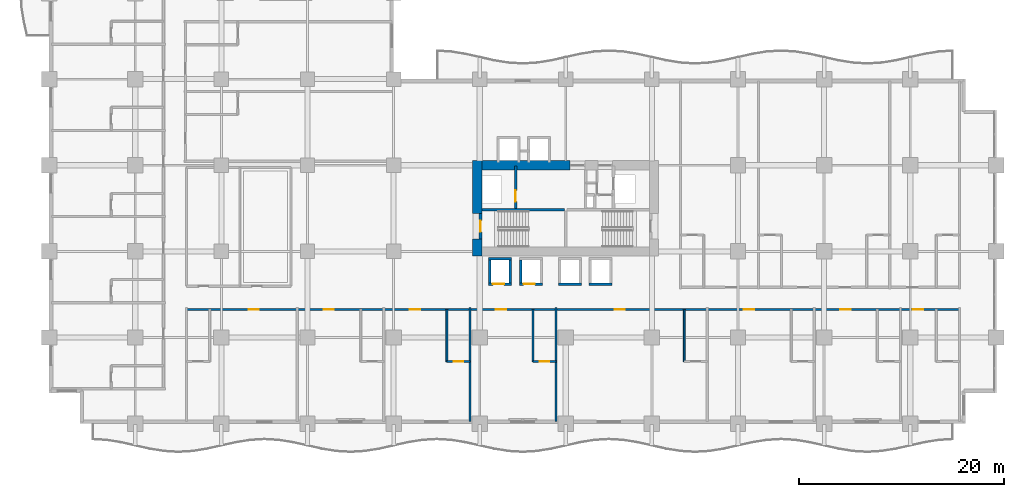
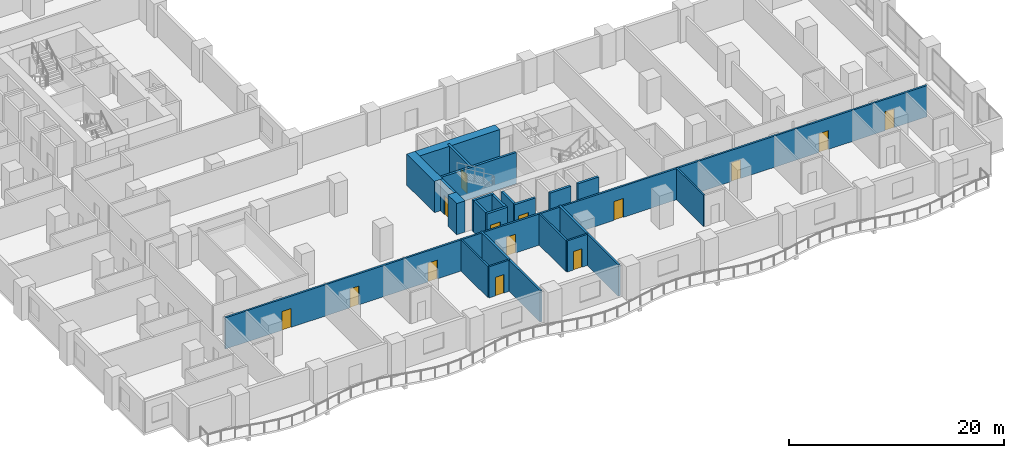
# One storey, part 12 of 26: 22 walls, 14 doors, 14 openings.
"""IFC4 building model written with IfcOpenShell, lengths in metres."""

from ifc_helpers import new_model, si_unit, direction, frame, frame_2d, origin, place, context, subcontext, project, spatial, rectangle, extrude, material, layer, layer_set, type_object, element, fill, save


model = new_model("IFC4")

# Units and contexts
model_context = context("Model", 3, precision=1e-05, world=origin(), true_north=direction((0.0, 1.0)))
body_context = subcontext(model_context, "Body", "Model", "MODEL_VIEW")
ifc_project = project(units=[si_unit("LENGTHUNIT", "METRE"), si_unit("AREAUNIT", "SQUARE_METRE"), si_unit("VOLUMEUNIT", "CUBIC_METRE"), si_unit("PLANEANGLEUNIT", "RADIAN"), si_unit("MASSUNIT", "GRAM", prefix="KILO")], contexts=[model_context])

# Site, building, storey
site_placement = place(None, origin())
site = spatial("IfcSite", under=ifc_project, at=site_placement, CompositionType="ELEMENT")
building_placement = place(site_placement, origin())
building = spatial("IfcBuilding", under=site, at=building_placement, Name="Koriwani Terraces Tower", CompositionType="ELEMENT")
storey_placement = place(building_placement, frame((0.0, 0.0, 39.60009765625)))
storey = spatial("IfcBuildingStorey", under=building, at=storey_placement, Name="L08", CompositionType="ELEMENT", Elevation=39.60009765625)

# Walls
ifc_material_1 = material(Name="Concrete C60/75", Category="concrete")
ifc_layer_1 = layer(ifc_material_1, 0.89990234375, Name="Concrete C60/75")
ifc_layer_set_1 = layer_set([ifc_layer_1], Name="Concrete C60/75")
wall_type_1 = type_object("IfcWallType", Name="WALL_CORE_RC_900", PredefinedType="SHEAR", material=ifc_layer_set_1)
wall_1_placement = place(storey_placement, frame((41.75, 16.35009765625, 0.0), z_axis=(0.0, 0.0, 1.0), x_axis=(0.0, 1.0, 0.0)))
element("IfcWall", 1, at=wall_1_placement, inside=storey, type_object=wall_type_1, Name="L08 East Split Core Shear Wall W1", PredefinedType="SHEAR", context=body_context, shape_type="SweptSolid", body=[
    extrude(rectangle(XDim=1.64990234375, YDim=0.89990234375, at=frame_2d((0.824951171875, 0.0))), origin(), (0.0, 0.0, 1.0), 3.5498046875),
])
wall_2_placement = place(storey_placement, frame((41.75, 20.5, 0.0), z_axis=(0.0, 0.0, 1.0), x_axis=(0.0, 1.0, 0.0)))
element("IfcWall", 2, at=wall_2_placement, inside=storey, type_object=wall_type_1, Name="L08 East Split Core Shear Wall W2", PredefinedType="SHEAR", context=body_context, shape_type="SweptSolid", body=[
    extrude(rectangle(XDim=5.14990234375, YDim=0.89990234375, at=frame_2d((2.574951171875, 0.0))), origin(), (0.0, 0.0, 1.0), 3.5498046875),
])
wall_3_placement = place(storey_placement, frame((42.199951171875, 25.199951171875, 0.0), z_axis=(0.0, 0.0, 1.0), x_axis=(1.0, 0.0, 0.0)))
element("IfcWall", 3, at=wall_3_placement, inside=storey, type_object=wall_type_1, Name="L08 East Split Core Shear Wall N1", PredefinedType="SHEAR", context=body_context, shape_type="SweptSolid", body=[
    extrude(rectangle(XDim=8.60009765625, YDim=0.89990234375, at=frame_2d((4.300048828125, 0.0))), origin(), (0.0, 0.0, 1.0), 3.5498046875),
])

# Wall, openings, doors
ifc_material_2 = material(Name="Autoclaved Cellular Concrete Blockwork", Category="masonry")
ifc_layer_2 = layer(ifc_material_2, 0.199951171875, Name="Autoclaved Cellular Concrete Blockwork")
ifc_layer_set_2 = layer_set([ifc_layer_2], Name="Autoclaved Cellular Concrete Blockwork")
wall_type_2 = type_object("IfcWallType", Name="WALL_CORRIDOR_200", PredefinedType="PARTITIONING", material=ifc_layer_set_2)
wall_4_placement = place(storey_placement, frame((13.39990234375, 11.14990234375, 0.0), z_axis=(0.0, 0.0, 1.0), x_axis=(1.0, 0.0, 0.0)))
wall_4 = element("IfcWall", 4, at=wall_4_placement, inside=storey, type_object=wall_type_2, Name="L08 Interior Wall WCOR-L08-SW-0", PredefinedType="PARTITIONING", context=body_context, shape_type="SweptSolid", body=[
    extrude(rectangle(XDim=75.400146484375, YDim=0.199951171875, at=frame_2d((37.7001953125, 0.0))), origin(), (0.0, 0.0, 1.0), 3.5498046875),
])
opening_1_placement = place(wall_4_placement, frame((6.06494140625, 0.0, 0.0)))
opening_1 = element("IfcOpeningElement", 5, at=opening_1_placement, cuts=wall_4, Name="Opening D-05", PredefinedType="OPENING", context=body_context, shape_type="SweptSolid", body=[
    extrude(rectangle(XDim=1.0, YDim=2.14990234375, at=frame_2d((0.5, 1.074951171875))), frame((0.0, 0.10986328125, 0.0), z_axis=(0.0, -1.0, 0.0), x_axis=(1.0, 0.0, 0.0)), (0.0, 0.0, 1.0), 0.219970703125),
])
opening_2_placement = place(wall_4_placement, frame((13.360107421875, 0.0, 0.0)))
opening_2 = element("IfcOpeningElement", 6, at=opening_2_placement, cuts=wall_4, Name="Opening D-05", PredefinedType="OPENING", context=body_context, shape_type="SweptSolid", body=[
    extrude(rectangle(XDim=1.0, YDim=2.14990234375, at=frame_2d((0.5, 1.074951171875))), frame((0.0, 0.10986328125, 0.0), z_axis=(0.0, -1.0, 0.0), x_axis=(1.0, 0.0, 0.0)), (0.0, 0.0, 1.0), 0.219970703125),
])
opening_3_placement = place(wall_4_placement, frame((21.784912109375, 0.0, 0.0)))
opening_3 = element("IfcOpeningElement", 7, at=opening_3_placement, cuts=wall_4, Name="Opening D-05", PredefinedType="OPENING", context=body_context, shape_type="SweptSolid", body=[
    extrude(rectangle(XDim=1.0, YDim=2.14990234375, at=frame_2d((0.5, 1.074951171875))), frame((0.0, 0.10986328125, 0.0), z_axis=(0.0, -1.0, 0.0), x_axis=(1.0, 0.0, 0.0)), (0.0, 0.0, 1.0), 0.219970703125),
])
opening_4_placement = place(wall_4_placement, frame((30.18505859375, 0.0, 0.0)))
opening_4 = element("IfcOpeningElement", 8, at=opening_4_placement, cuts=wall_4, Name="Opening D-05", PredefinedType="OPENING", context=body_context, shape_type="SweptSolid", body=[
    extrude(rectangle(XDim=1.0, YDim=2.14990234375, at=frame_2d((0.5, 1.074951171875))), frame((0.0, 0.10986328125, 0.0), z_axis=(0.0, -1.0, 0.0), x_axis=(1.0, 0.0, 0.0)), (0.0, 0.0, 1.0), 0.219970703125),
])
opening_5_placement = place(wall_4_placement, frame((41.760009765625, 0.0, 0.0)))
opening_5 = element("IfcOpeningElement", 9, at=opening_5_placement, cuts=wall_4, Name="Opening D-05", PredefinedType="OPENING", context=body_context, shape_type="SweptSolid", body=[
    extrude(rectangle(XDim=1.0, YDim=2.14990234375, at=frame_2d((0.5, 1.074951171875))), frame((0.0, 0.10986328125, 0.0), z_axis=(0.0, -1.0, 0.0), x_axis=(1.0, 0.0, 0.0)), (0.0, 0.0, 1.0), 0.219970703125),
])
opening_6_placement = place(wall_4_placement, frame((54.360107421875, 0.0, 0.0)))
opening_6 = element("IfcOpeningElement", 10, at=opening_6_placement, cuts=wall_4, Name="Opening D-05", PredefinedType="OPENING", context=body_context, shape_type="SweptSolid", body=[
    extrude(rectangle(XDim=1.0, YDim=2.14990234375, at=frame_2d((0.5, 1.074951171875))), frame((0.0, 0.10986328125, 0.0), z_axis=(0.0, -1.0, 0.0), x_axis=(1.0, 0.0, 0.0)), (0.0, 0.0, 1.0), 0.219970703125),
])
opening_7_placement = place(wall_4_placement, frame((63.784912109375, 0.0, 0.0)))
opening_7 = element("IfcOpeningElement", 11, at=opening_7_placement, cuts=wall_4, Name="Opening D-05", PredefinedType="OPENING", context=body_context, shape_type="SweptSolid", body=[
    extrude(rectangle(XDim=1.0, YDim=2.14990234375, at=frame_2d((0.5, 1.074951171875))), frame((0.0, 0.10986328125, 0.0), z_axis=(0.0, -1.0, 0.0), x_axis=(1.0, 0.0, 0.0)), (0.0, 0.0, 1.0), 0.219970703125),
])
opening_8_placement = place(wall_4_placement, frame((70.860107421875, 0.0, 0.0)))
opening_8 = element("IfcOpeningElement", 12, at=opening_8_placement, cuts=wall_4, Name="Opening D-05", PredefinedType="OPENING", context=body_context, shape_type="SweptSolid", body=[
    extrude(rectangle(XDim=1.0, YDim=2.14990234375, at=frame_2d((0.5, 1.074951171875))), frame((0.0, 0.10986328125, 0.0), z_axis=(0.0, -1.0, 0.0), x_axis=(1.0, 0.0, 0.0)), (0.0, 0.0, 1.0), 0.219970703125),
])
ifc_material_3 = material(Name="Architectural Oak Fire Door", Category="wood")
door_type_1 = type_object("IfcDoorType", Name="DOOR_SUITE_ENTRY_1000X2150", OperationType="NOTDEFINED", PredefinedType="DOOR", material=ifc_material_3)
door_1_placement = place(opening_1_placement, origin())
door_1 = element("IfcDoor", 13, at=door_1_placement, inside=storey, type_object=door_type_1, Name="Luxury Hotel Suite 08SW1 Entrance Door", OperationType="SINGLE_SWING_RIGHT", OverallHeight=2.14990234375, OverallWidth=1.0, PredefinedType="DOOR", context=body_context, shape_type="SweptSolid", body=[
    extrude(rectangle(XDim=1.0, YDim=2.14990234375, at=frame_2d((0.5, 1.074951171875))), frame((0.0, 0.02490234375, 0.0), z_axis=(0.0, -1.0, 0.0), x_axis=(1.0, 0.0, 0.0)), (0.0, 0.0, 1.0), 0.050048828125),
])
fill(opening_1, door_1)
door_2_placement = place(opening_2_placement, origin())
door_2 = element("IfcDoor", 14, at=door_2_placement, inside=storey, type_object=door_type_1, Name="Luxury Hotel Suite 08SW2 Entrance Door", OperationType="SINGLE_SWING_RIGHT", OverallHeight=2.14990234375, OverallWidth=1.0, PredefinedType="DOOR", context=body_context, shape_type="SweptSolid", body=[
    extrude(rectangle(XDim=1.0, YDim=2.14990234375, at=frame_2d((0.5, 1.074951171875))), frame((0.0, 0.02490234375, 0.0), z_axis=(0.0, -1.0, 0.0), x_axis=(1.0, 0.0, 0.0)), (0.0, 0.0, 1.0), 0.050048828125),
])
fill(opening_2, door_2)
door_3_placement = place(opening_3_placement, origin())
door_3 = element("IfcDoor", 15, at=door_3_placement, inside=storey, type_object=door_type_1, Name="Luxury Hotel Suite 08SW3 Entrance Door", OperationType="SINGLE_SWING_RIGHT", OverallHeight=2.14990234375, OverallWidth=1.0, PredefinedType="DOOR", context=body_context, shape_type="SweptSolid", body=[
    extrude(rectangle(XDim=1.0, YDim=2.14990234375, at=frame_2d((0.5, 1.074951171875))), frame((0.0, 0.02490234375, 0.0), z_axis=(0.0, -1.0, 0.0), x_axis=(1.0, 0.0, 0.0)), (0.0, 0.0, 1.0), 0.050048828125),
])
fill(opening_3, door_3)
door_4_placement = place(opening_4_placement, origin())
door_4 = element("IfcDoor", 16, at=door_4_placement, inside=storey, type_object=door_type_1, Name="Luxury Hotel Suite 08SW4 Entrance Door", OperationType="SINGLE_SWING_RIGHT", OverallHeight=2.14990234375, OverallWidth=1.0, PredefinedType="DOOR", context=body_context, shape_type="SweptSolid", body=[
    extrude(rectangle(XDim=1.0, YDim=2.14990234375, at=frame_2d((0.5, 1.074951171875))), frame((0.0, 0.02490234375, 0.0), z_axis=(0.0, -1.0, 0.0), x_axis=(1.0, 0.0, 0.0)), (0.0, 0.0, 1.0), 0.050048828125),
])
fill(opening_4, door_4)
door_5_placement = place(opening_5_placement, origin())
door_5 = element("IfcDoor", 17, at=door_5_placement, inside=storey, type_object=door_type_1, Name="Luxury Hotel Suite 08SW5 Entrance Door", OperationType="SINGLE_SWING_RIGHT", OverallHeight=2.14990234375, OverallWidth=1.0, PredefinedType="DOOR", context=body_context, shape_type="SweptSolid", body=[
    extrude(rectangle(XDim=1.0, YDim=2.14990234375, at=frame_2d((0.5, 1.074951171875))), frame((0.0, 0.02490234375, 0.0), z_axis=(0.0, -1.0, 0.0), x_axis=(1.0, 0.0, 0.0)), (0.0, 0.0, 1.0), 0.050048828125),
])
fill(opening_5, door_5)
door_6_placement = place(opening_6_placement, origin())
door_6 = element("IfcDoor", 18, at=door_6_placement, inside=storey, type_object=door_type_1, Name="Luxury Hotel Suite 08SW6 Entrance Door", OperationType="SINGLE_SWING_RIGHT", OverallHeight=2.14990234375, OverallWidth=1.0, PredefinedType="DOOR", context=body_context, shape_type="SweptSolid", body=[
    extrude(rectangle(XDim=1.0, YDim=2.14990234375, at=frame_2d((0.5, 1.074951171875))), frame((0.0, 0.02490234375, 0.0), z_axis=(0.0, -1.0, 0.0), x_axis=(1.0, 0.0, 0.0)), (0.0, 0.0, 1.0), 0.050048828125),
])
fill(opening_6, door_6)
door_7_placement = place(opening_7_placement, origin())
door_7 = element("IfcDoor", 19, at=door_7_placement, inside=storey, type_object=door_type_1, Name="Luxury Hotel Suite 08SW7 Entrance Door", OperationType="SINGLE_SWING_RIGHT", OverallHeight=2.14990234375, OverallWidth=1.0, PredefinedType="DOOR", context=body_context, shape_type="SweptSolid", body=[
    extrude(rectangle(XDim=1.0, YDim=2.14990234375, at=frame_2d((0.5, 1.074951171875))), frame((0.0, 0.02490234375, 0.0), z_axis=(0.0, -1.0, 0.0), x_axis=(1.0, 0.0, 0.0)), (0.0, 0.0, 1.0), 0.050048828125),
])
fill(opening_7, door_7)
door_8_placement = place(opening_8_placement, origin())
door_8 = element("IfcDoor", 20, at=door_8_placement, inside=storey, type_object=door_type_1, Name="Hotel Guest Room 08SW8 Entrance Door", OperationType="SINGLE_SWING_RIGHT", OverallHeight=2.14990234375, OverallWidth=1.0, PredefinedType="DOOR", context=body_context, shape_type="SweptSolid", body=[
    extrude(rectangle(XDim=1.0, YDim=2.14990234375, at=frame_2d((0.5, 1.074951171875))), frame((0.0, 0.02490234375, 0.0), z_axis=(0.0, -1.0, 0.0), x_axis=(1.0, 0.0, 0.0)), (0.0, 0.0, 1.0), 0.050048828125),
])
fill(opening_8, door_8)

# Walls
ifc_layer_3 = layer(ifc_material_2, 0.219970703125, Name="Autoclaved Cellular Concrete Blockwork")
ifc_layer_set_3 = layer_set([ifc_layer_3], Name="Autoclaved Cellular Concrete Blockwork")
wall_type_3 = type_object("IfcWallType", Name="WALL_DEMISING_220", PredefinedType="PARTITIONING", material=ifc_layer_set_3)
for number, where, z_axis, x_axis, name in (
    (21, (41.050048828125, 0.199951171875, 0.0), (0.0, 0.0, 1.0), (0.0, 1.0, 0.0), "L08 Interior Wall WDEM-L08-SW-3"),
    (22, (49.449951171875, 0.199951171875, 0.0), (0.0, 0.0, 1.0), (0.0, 1.0, 0.0), "L08 Interior Wall WDEM-L08-SW-4"),
):
    element("IfcWall", number, at=place(storey_placement, frame(where, z_axis=z_axis, x_axis=x_axis)), inside=storey, type_object=wall_type_3, Name=name, PredefinedType="PARTITIONING", context=body_context, shape_type="SweptSolid", body=[
        extrude(rectangle(XDim=11.130126953125, YDim=0.219970703125, at=frame_2d((5.56494140625, 0.0))), origin(), (0.0, 0.0, 1.0), 3.5498046875),
    ])

# Wall, opening, door
ifc_material_4 = material(Name="Fire-Rated Acoustic Gypsum Partition", Category="masonry")
ifc_layer_4 = layer(ifc_material_4, 0.179931640625, Name="Fire-Rated Acoustic Gypsum Partition")
ifc_layer_set_4 = layer_set([ifc_layer_4], Name="Fire-Rated Acoustic Gypsum Partition")
wall_type_4 = type_object("IfcWallType", Name="WALL_PLUMBING_180", PredefinedType="PLUMBINGWALL", material=ifc_layer_set_4)
wall_5_placement = place(storey_placement, frame((38.800048828125, 6.050048828125, 0.0), z_axis=(0.0, 0.0, 1.0), x_axis=(1.0, 0.0, 0.0)))
wall_5 = element("IfcWall", 23, at=wall_5_placement, inside=storey, type_object=wall_type_4, Name="L08 Interior Wall WBTH1-L08-SW-2", PredefinedType="PLUMBINGWALL", context=body_context, shape_type="SweptSolid", body=[
    extrude(rectangle(XDim=2.25, YDim=0.179931640625, at=frame_2d((1.125, 0.0))), origin(), (0.0, 0.0, 1.0), 3.5498046875),
])
opening_9_placement = place(wall_5_placement, frame((0.675048828125, 0.0, 0.0)))
opening_9 = element("IfcOpeningElement", 24, at=opening_9_placement, cuts=wall_5, Name="Opening D-07", PredefinedType="OPENING", context=body_context, shape_type="SweptSolid", body=[
    extrude(rectangle(XDim=0.89990234375, YDim=2.10009765625, at=frame_2d((0.449951171875, 1.050048828125))), frame((0.0, 0.10009765625, 0.0), z_axis=(0.0, -1.0, 0.0), x_axis=(1.0, 0.0, 0.0)), (0.0, 0.0, 1.0), 0.199951171875),
])
door_type_2 = type_object("IfcDoorType", Name="DOOR_BATH_INT_900X2100", OperationType="NOTDEFINED", PredefinedType="DOOR", material=ifc_material_3)
door_9_placement = place(opening_9_placement, origin())
door_9 = element("IfcDoor", 25, at=door_9_placement, inside=storey, type_object=door_type_2, Name="En-Suite Bathroom 08SW3 Door", OperationType="SINGLE_SWING_LEFT", OverallHeight=2.10009765625, OverallWidth=0.89990234375, PredefinedType="DOOR", context=body_context, shape_type="SweptSolid", body=[
    extrude(rectangle(XDim=0.89990234375, YDim=2.10009765625, at=frame_2d((0.449951171875, 1.050048828125))), frame((0.0, 0.02490234375, 0.0), z_axis=(0.0, -1.0, 0.0), x_axis=(1.0, 0.0, 0.0)), (0.0, 0.0, 1.0), 0.050048828125),
])
fill(opening_9, door_9)

# Wall
wall_6_placement = place(storey_placement, frame((38.800048828125, 6.050048828125, 0.0), z_axis=(0.0, 0.0, 1.0), x_axis=(0.0, 1.0, 0.0)))
element("IfcWall", 26, at=wall_6_placement, inside=storey, type_object=wall_type_4, Name="L08 Interior Wall WBTH2-L08-SW-2", PredefinedType="PLUMBINGWALL", context=body_context, shape_type="SweptSolid", body=[
    extrude(rectangle(XDim=5.099853515625, YDim=0.179931640625, at=frame_2d((2.5498046875, 0.0))), origin(), (0.0, 0.0, 1.0), 3.5498046875),
])

# Wall, opening, door
wall_7_placement = place(storey_placement, frame((47.199951171875, 6.050048828125, 0.0), z_axis=(0.0, 0.0, 1.0), x_axis=(1.0, 0.0, 0.0)))
wall_7 = element("IfcWall", 27, at=wall_7_placement, inside=storey, type_object=wall_type_4, Name="L08 Interior Wall WBTH1-L08-SW-3", PredefinedType="PLUMBINGWALL", context=body_context, shape_type="SweptSolid", body=[
    extrude(rectangle(XDim=2.25, YDim=0.179931640625, at=frame_2d((1.125, 0.0))), origin(), (0.0, 0.0, 1.0), 3.5498046875),
])
opening_10_placement = place(wall_7_placement, frame((0.675048828125, 0.0, 0.0)))
opening_10 = element("IfcOpeningElement", 28, at=opening_10_placement, cuts=wall_7, Name="Opening D-07", PredefinedType="OPENING", context=body_context, shape_type="SweptSolid", body=[
    extrude(rectangle(XDim=0.89990234375, YDim=2.10009765625, at=frame_2d((0.449951171875, 1.050048828125))), frame((0.0, 0.10009765625, 0.0), z_axis=(0.0, -1.0, 0.0), x_axis=(1.0, 0.0, 0.0)), (0.0, 0.0, 1.0), 0.199951171875),
])
door_10_placement = place(opening_10_placement, origin())
door_10 = element("IfcDoor", 29, at=door_10_placement, inside=storey, type_object=door_type_2, Name="En-Suite Bathroom 08SW4 Door", OperationType="SINGLE_SWING_LEFT", OverallHeight=2.10009765625, OverallWidth=0.89990234375, PredefinedType="DOOR", context=body_context, shape_type="SweptSolid", body=[
    extrude(rectangle(XDim=0.89990234375, YDim=2.10009765625, at=frame_2d((0.449951171875, 1.050048828125))), frame((0.0, 0.02490234375, 0.0), z_axis=(0.0, -1.0, 0.0), x_axis=(1.0, 0.0, 0.0)), (0.0, 0.0, 1.0), 0.050048828125),
])
fill(opening_10, door_10)

# Walls
for number, where, z_axis, x_axis, name in (
    (30, (47.199951171875, 6.050048828125, 0.0), (0.0, 0.0, 1.0), (0.0, 1.0, 0.0), "L08 Interior Wall WBTH2-L08-SW-3"),
    (31, (61.949951171875, 6.050048828125, 0.0), (0.0, 0.0, 1.0), (0.0, 1.0, 0.0), "L08 Interior Wall WBTH2-L08-SW-4"),
):
    element("IfcWall", number, at=place(storey_placement, frame(where, z_axis=z_axis, x_axis=x_axis)), inside=storey, type_object=wall_type_4, Name=name, PredefinedType="PLUMBINGWALL", context=body_context, shape_type="SweptSolid", body=[
        extrude(rectangle(XDim=5.099853515625, YDim=0.179931640625, at=frame_2d((2.5498046875, 0.0))), origin(), (0.0, 0.0, 1.0), 3.5498046875),
    ])
ifc_material_5 = material(Name="Concrete C40/50", Category="concrete")
ifc_layer_5 = layer(ifc_material_5, 0.25, Name="Concrete C40/50")
ifc_layer_set_5 = layer_set([ifc_layer_5], Name="Concrete C40/50")
wall_type_5 = type_object("IfcWallType", Name="WALL_SHAFT_RATED_250", PredefinedType="SOLIDWALL", material=ifc_layer_set_5)
wall_8_placement = place(storey_placement, frame((42.199951171875, 20.875, 0.0), z_axis=(0.0, 0.0, 1.0), x_axis=(1.0, 0.0, 0.0)))
element("IfcWall", 32, at=wall_8_placement, inside=storey, type_object=wall_type_5, Name="L08 East Split Core Web Wall MID1", PredefinedType="SOLIDWALL", context=body_context, shape_type="SweptSolid", body=[
    extrude(rectangle(XDim=8.050048828125, YDim=0.25, at=frame_2d((4.02490234375, 0.0))), origin(), (0.0, 0.0, 1.0), 3.5498046875),
])

# Wall, opening, door
wall_9_placement = place(storey_placement, frame((42.074951171875, 18.0, 0.0), z_axis=(0.0, 0.0, 1.0), x_axis=(0.0, 1.0, 0.0)))
wall_9 = element("IfcWall", 33, at=wall_9_placement, inside=storey, type_object=wall_type_5, Name="L08 Interior Wall WIN-CE-L08-STW", PredefinedType="SOLIDWALL", context=body_context, shape_type="SweptSolid", body=[
    extrude(rectangle(XDim=2.5, YDim=0.25, at=frame_2d((1.25, 0.0))), origin(), (0.0, 0.0, 1.0), 3.5498046875),
])
opening_11_placement = place(wall_9_placement, frame((0.699951171875, 0.0, 0.0)))
opening_11 = element("IfcOpeningElement", 34, at=opening_11_placement, cuts=wall_9, Name="Opening D-03", PredefinedType="OPENING", context=body_context, shape_type="SweptSolid", body=[
    extrude(rectangle(XDim=1.10009765625, YDim=2.14990234375, at=frame_2d((0.550048828125, 1.074951171875))), frame((0.0, 0.135009765625, 0.0), z_axis=(0.0, -1.0, 0.0), x_axis=(1.0, 0.0, 0.0)), (0.0, 0.0, 1.0), 0.27001953125),
])
ifc_material_6 = material(Name="Steel ASTM A572 Grade 50", Category="steel")
door_type_3 = type_object("IfcDoorType", Name="DOOR_STAIR_FIRE_1100X2150", OperationType="NOTDEFINED", PredefinedType="DOOR", material=ifc_material_6)
door_11_placement = place(opening_11_placement, origin())
door_11 = element("IfcDoor", 35, at=door_11_placement, inside=storey, type_object=door_type_3, Name="L08 Exit Stair ST-E1 Door", OperationType="SINGLE_SWING_LEFT", OverallHeight=2.14990234375, OverallWidth=1.10009765625, PredefinedType="DOOR", context=body_context, shape_type="SweptSolid", body=[
    extrude(rectangle(XDim=1.10009765625, YDim=2.14990234375, at=frame_2d((0.550048828125, 1.074951171875))), frame((0.0, 0.02490234375, 0.0), z_axis=(0.0, -1.0, 0.0), x_axis=(1.0, 0.0, 0.0)), (0.0, 0.0, 1.0), 0.050048828125),
])
fill(opening_11, door_11)

wall_10_placement = place(storey_placement, frame((45.5, 21.0, 0.0), z_axis=(0.0, 0.0, 1.0), x_axis=(0.0, 1.0, 0.0)))
wall_10 = element("IfcWall", 36, at=wall_10_placement, inside=storey, type_object=wall_type_5, Name="L08 Interior Wall WIN-CE-L08-FE", PredefinedType="SOLIDWALL", context=body_context, shape_type="SweptSolid", body=[
    extrude(rectangle(XDim=4.14990234375, YDim=0.25, at=frame_2d((2.074951171875, 0.0))), origin(), (0.0, 0.0, 1.0), 3.5498046875),
])
opening_12_placement = place(wall_10_placement, frame((0.64990234375, 0.0, 0.0)))
opening_12 = element("IfcOpeningElement", 37, at=opening_12_placement, cuts=wall_10, Name="Opening LD-01", PredefinedType="OPENING", context=body_context, shape_type="SweptSolid", body=[
    extrude(rectangle(XDim=1.10009765625, YDim=2.14990234375, at=frame_2d((0.550048828125, 1.074951171875))), frame((0.0, 0.135009765625, 0.0), z_axis=(0.0, -1.0, 0.0), x_axis=(1.0, 0.0, 0.0)), (0.0, 0.0, 1.0), 0.27001953125),
])
door_type_4 = type_object("IfcDoorType", Name="DOOR_LIFT_LANDING_1100X2200", OperationType="NOTDEFINED", PredefinedType="DOOR", material=ifc_material_6)
door_12_placement = place(opening_12_placement, origin())
door_12 = element("IfcDoor", 38, at=door_12_placement, inside=storey, type_object=door_type_4, Name="L08 Firefighting Lift FE-02 Landing Door", OperationType="SLIDING_TO_LEFT", OverallHeight=2.14990234375, OverallWidth=1.10009765625, PredefinedType="DOOR", context=body_context, shape_type="SweptSolid", body=[
    extrude(rectangle(XDim=1.10009765625, YDim=2.14990234375, at=frame_2d((0.550048828125, 1.074951171875))), frame((0.0, 0.02490234375, 0.0), z_axis=(0.0, -1.0, 0.0), x_axis=(1.0, 0.0, 0.0)), (0.0, 0.0, 1.0), 0.050048828125),
])
fill(opening_12, door_12)

wall_11_placement = place(storey_placement, frame((42.875, 13.60009765625, 0.0), z_axis=(0.0, 0.0, 1.0), x_axis=(1.0, 0.0, 0.0)))
wall_11 = element("IfcWall", 39, at=wall_11_placement, inside=storey, type_object=wall_type_5, Name="L08 Interior Wall WIN-LF-PE-L3-L08-F", PredefinedType="SOLIDWALL", context=body_context, shape_type="SweptSolid", body=[
    extrude(rectangle(XDim=2.25, YDim=0.25, at=frame_2d((1.125, 0.0))), origin(), (0.0, 0.0, 1.0), 3.5498046875),
])
opening_13_placement = place(wall_11_placement, frame((0.39990234375, 0.0, 0.0)))
opening_13 = element("IfcOpeningElement", 40, at=opening_13_placement, cuts=wall_11, Name="Opening LD-01", PredefinedType="OPENING", context=body_context, shape_type="SweptSolid", body=[
    extrude(rectangle(XDim=1.10009765625, YDim=2.14990234375, at=frame_2d((0.550048828125, 1.074951171875))), frame((0.0, 0.135009765625, 0.0), z_axis=(0.0, -1.0, 0.0), x_axis=(1.0, 0.0, 0.0)), (0.0, 0.0, 1.0), 0.27001953125),
])
door_13_placement = place(opening_13_placement, origin())
door_13 = element("IfcDoor", 41, at=door_13_placement, inside=storey, type_object=door_type_4, Name="L08 Passenger Lift PE-L3 Landing Door", OperationType="SLIDING_TO_LEFT", OverallHeight=2.14990234375, OverallWidth=1.10009765625, PredefinedType="DOOR", context=body_context, shape_type="SweptSolid", body=[
    extrude(rectangle(XDim=1.10009765625, YDim=2.14990234375, at=frame_2d((0.550048828125, 1.074951171875))), frame((0.0, 0.02490234375, 0.0), z_axis=(0.0, -1.0, 0.0), x_axis=(1.0, 0.0, 0.0)), (0.0, 0.0, 1.0), 0.050048828125),
])
fill(opening_13, door_13)

# Walls
for number, where, z_axis, x_axis, name in (
    (42, (42.875, 16.10009765625, 0.0), (0.0, 0.0, 1.0), (1.0, 0.0, 0.0), "L08 Interior Wall WIN-LF-PE-L3-L08-B"),
    (43, (43.0, 13.72509765625, 0.0), (0.0, 0.0, 1.0), (0.0, 1.0, 0.0), "L08 Interior Wall WIN-LF-PE-L3-L08-W"),
    (44, (45.0, 13.72509765625, 0.0), (0.0, 0.0, 1.0), (0.0, 1.0, 0.0), "L08 Interior Wall WIN-LF-PE-L3-L08-E"),
):
    element("IfcWall", number, at=place(storey_placement, frame(where, z_axis=z_axis, x_axis=x_axis)), inside=storey, type_object=wall_type_5, Name=name, PredefinedType="SOLIDWALL", context=body_context, shape_type="SweptSolid", body=[
        extrude(rectangle(XDim=2.25, YDim=0.25, at=frame_2d((1.125, 0.0))), origin(), (0.0, 0.0, 1.0), 3.5498046875),
    ])

# Wall, opening, door
wall_12_placement = place(storey_placement, frame((45.875, 13.60009765625, 0.0), z_axis=(0.0, 0.0, 1.0), x_axis=(1.0, 0.0, 0.0)))
wall_12 = element("IfcWall", 45, at=wall_12_placement, inside=storey, type_object=wall_type_5, Name="L08 Interior Wall WIN-LF-PE-L4-L08-F", PredefinedType="SOLIDWALL", context=body_context, shape_type="SweptSolid", body=[
    extrude(rectangle(XDim=2.25, YDim=0.25, at=frame_2d((1.125, 0.0))), origin(), (0.0, 0.0, 1.0), 3.5498046875),
])
opening_14_placement = place(wall_12_placement, frame((0.39990234375, 0.0, 0.0)))
opening_14 = element("IfcOpeningElement", 46, at=opening_14_placement, cuts=wall_12, Name="Opening LD-01", PredefinedType="OPENING", context=body_context, shape_type="SweptSolid", body=[
    extrude(rectangle(XDim=1.10009765625, YDim=2.14990234375, at=frame_2d((0.550048828125, 1.074951171875))), frame((0.0, 0.135009765625, 0.0), z_axis=(0.0, -1.0, 0.0), x_axis=(1.0, 0.0, 0.0)), (0.0, 0.0, 1.0), 0.27001953125),
])
door_14_placement = place(opening_14_placement, origin())
door_14 = element("IfcDoor", 47, at=door_14_placement, inside=storey, type_object=door_type_4, Name="L08 Passenger Lift PE-L4 Landing Door", OperationType="SLIDING_TO_LEFT", OverallHeight=2.14990234375, OverallWidth=1.10009765625, PredefinedType="DOOR", context=body_context, shape_type="SweptSolid", body=[
    extrude(rectangle(XDim=1.10009765625, YDim=2.14990234375, at=frame_2d((0.550048828125, 1.074951171875))), frame((0.0, 0.02490234375, 0.0), z_axis=(0.0, -1.0, 0.0), x_axis=(1.0, 0.0, 0.0)), (0.0, 0.0, 1.0), 0.050048828125),
])
fill(opening_14, door_14)

# Walls
for number, where, z_axis, x_axis, name in (
    (48, (46.0, 13.72509765625, 0.0), (0.0, 0.0, 1.0), (0.0, 1.0, 0.0), "L08 Interior Wall WIN-LF-PE-L4-L08-W"),
    (49, (49.675048828125, 13.60009765625, 0.0), (0.0, 0.0, 1.0), (1.0, 0.0, 0.0), "L08 Interior Wall WIN-LF-PE-M3-L08-F"),
    (50, (52.675048828125, 13.60009765625, 0.0), (0.0, 0.0, 1.0), (1.0, 0.0, 0.0), "L08 Interior Wall WIN-LF-PE-M4-L08-F"),
):
    element("IfcWall", number, at=place(storey_placement, frame(where, z_axis=z_axis, x_axis=x_axis)), inside=storey, type_object=wall_type_5, Name=name, PredefinedType="SOLIDWALL", context=body_context, shape_type="SweptSolid", body=[
        extrude(rectangle(XDim=2.25, YDim=0.25, at=frame_2d((1.125, 0.0))), origin(), (0.0, 0.0, 1.0), 3.5498046875),
    ])

save(model, "model.ifc")
